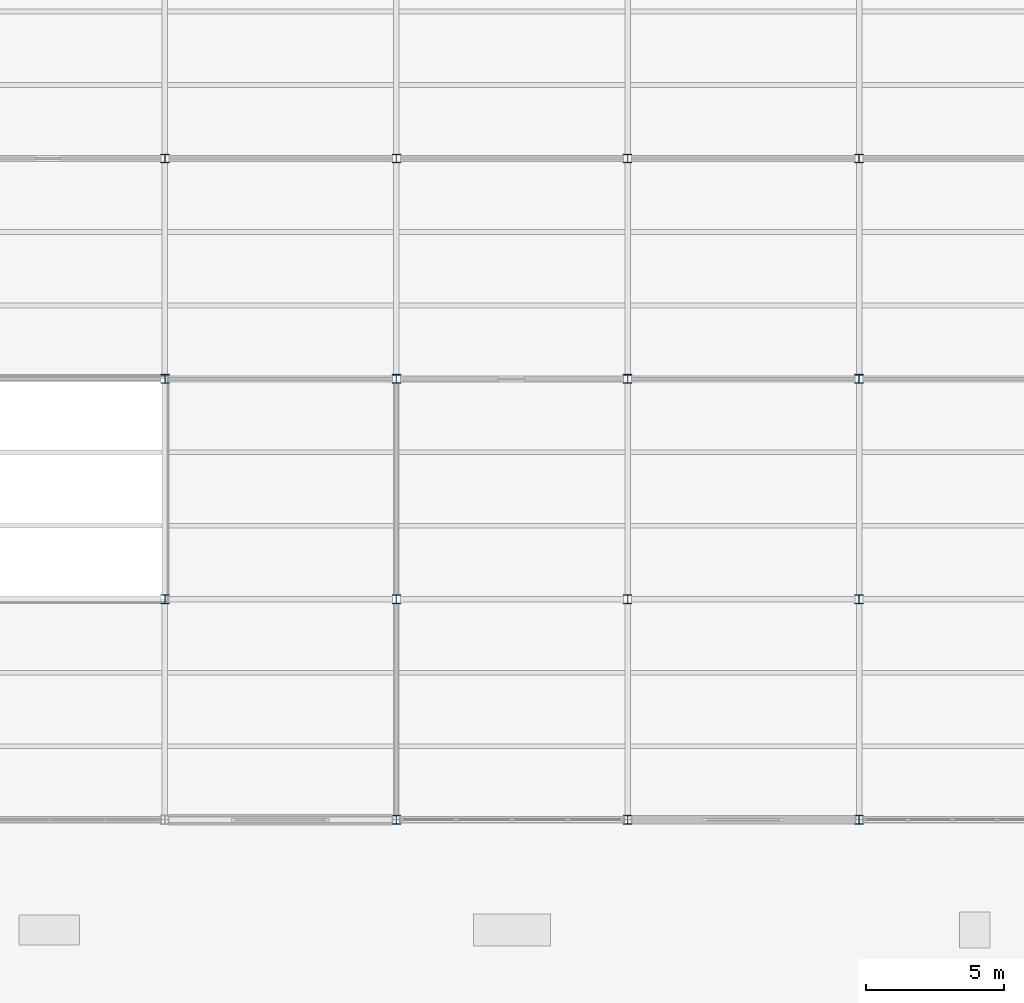
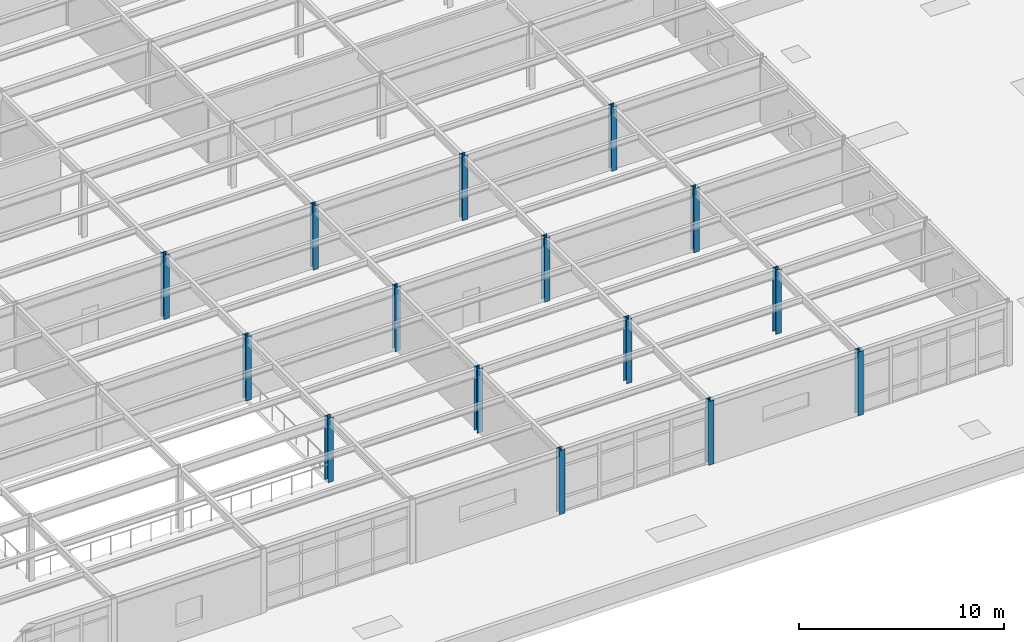
# One storey, part 7 of 138: 15 columns.
"""IFC4 building model written with IfcOpenShell, lengths in metres."""

from ifc_helpers import new_model, si_unit, direction, frame, origin, origin_2d, place, context, subcontext, project, spatial, i_section, extrude, material, material_profile, profile_set, type_object, element, save


model = new_model("IFC4")

# Units and contexts
model_context = context("Model", 3, precision=1e-05, world=origin(), true_north=direction((0.0, 1.0)))
body_context = subcontext(model_context, "Body", "Model", "MODEL_VIEW")
ifc_project = project(units=[si_unit("LENGTHUNIT", "METRE"), si_unit("AREAUNIT", "SQUARE_METRE"), si_unit("VOLUMEUNIT", "CUBIC_METRE"), si_unit("PLANEANGLEUNIT", "RADIAN"), si_unit("MASSUNIT", "GRAM", prefix="KILO")], contexts=[model_context])

# Site, building, storey
site_placement = place(None, origin())
site = spatial("IfcSite", under=ifc_project, at=site_placement, CompositionType="ELEMENT")
building_placement = place(site_placement, origin())
building = spatial("IfcBuilding", under=site, at=building_placement, Name="Kranzveld Transit Interchange", CompositionType="ELEMENT")
storey_placement = place(building_placement, frame((0.0, 0.0, 5.43994140625)))
storey = spatial("IfcBuildingStorey", under=building, at=storey_placement, Name="L01", CompositionType="ELEMENT", Elevation=5.43994140625)

# Columns
ifc_material = material(Name="Steel S355JR", Category="steel")
ifc_material_profile = material_profile(ifc_material, i_section(OverallWidth=0.30908203125, OverallDepth=0.320556640625, WebThickness=0.013916015625, FlangeThickness=0.021728515625, FilletRadius=0.01513671875, at=origin_2d()), Name="UC 305x305x137")
ifc_profile_set = profile_set([ifc_material_profile], Name="Steel S355JR")
column_type = type_object("IfcColumnType", Name="Column Steel UC 305x305x137 S355JR", PredefinedType="COLUMN", material=ifc_profile_set)
for number, where, z_axis, x_axis, name in (
    (1, (100.800048828125, 16.0, 0.0), (0.0, 0.0, 1.0), (1.0, 0.0, 0.0), "L01 Column 13/C"),
    (2, (100.800048828125, 24.0, 0.0), (0.0, 0.0, 1.0), (1.0, 0.0, 0.0), "L01 Column 13/D"),
    (3, (100.800048828125, 32.0, 0.0), (0.0, 0.0, 1.0), (1.0, 0.0, 0.0), "L01 Column 13/E"),
    (4, (109.199951171875, 8.0, 0.0), (0.0, 0.0, 1.0), (1.0, 0.0, 0.0), "L01 Column 14/B"),
    (5, (109.199951171875, 16.0, 0.0), (0.0, 0.0, 1.0), (1.0, 0.0, 0.0), "L01 Column 14/C"),
    (6, (109.199951171875, 24.0, 0.0), (0.0, 0.0, 1.0), (1.0, 0.0, 0.0), "L01 Column 14/D"),
    (7, (109.199951171875, 32.0, 0.0), (0.0, 0.0, 1.0), (1.0, 0.0, 0.0), "L01 Column 14/E"),
    (8, (117.60009765625, 8.0, 0.0), (0.0, 0.0, 1.0), (1.0, 0.0, 0.0), "L01 Column 15/B"),
    (9, (117.60009765625, 16.0, 0.0), (0.0, 0.0, 1.0), (1.0, 0.0, 0.0), "L01 Column 15/C"),
    (10, (117.60009765625, 24.0, 0.0), (0.0, 0.0, 1.0), (1.0, 0.0, 0.0), "L01 Column 15/D"),
    (11, (117.60009765625, 32.0, 0.0), (0.0, 0.0, 1.0), (1.0, 0.0, 0.0), "L01 Column 15/E"),
    (12, (126.0, 8.0, 0.0), (0.0, 0.0, 1.0), (1.0, 0.0, 0.0), "L01 Column 16/B"),
    (13, (126.0, 16.0, 0.0), (0.0, 0.0, 1.0), (1.0, 0.0, 0.0), "L01 Column 16/C"),
    (14, (126.0, 24.0, 0.0), (0.0, 0.0, 1.0), (1.0, 0.0, 0.0), "L01 Column 16/D"),
    (15, (126.0, 32.0, 0.0), (0.0, 0.0, 1.0), (1.0, 0.0, 0.0), "L01 Column 16/E"),
):
    element("IfcColumn", number, at=place(storey_placement, frame(where, z_axis=z_axis, x_axis=x_axis)), inside=storey, type_object=column_type, Name=name, PredefinedType="COLUMN", context=body_context, shape_type="SweptSolid", body=[
        extrude(i_section(OverallWidth=0.30908203125, OverallDepth=0.320556640625, WebThickness=0.013916015625, FlangeThickness=0.021728515625, FilletRadius=0.01513671875, at=origin_2d()), origin(), (0.0, 0.0, 1.0), 3.800048828125),
    ])

save(model, "model.ifc")
